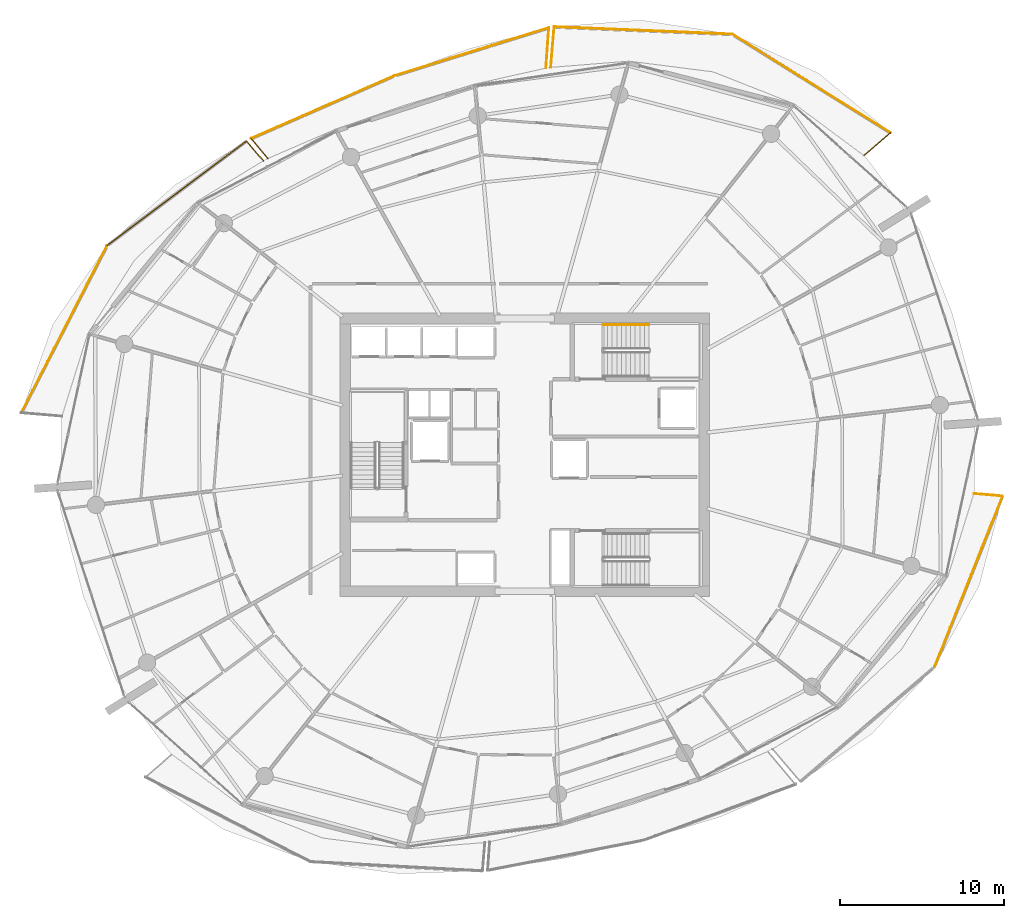
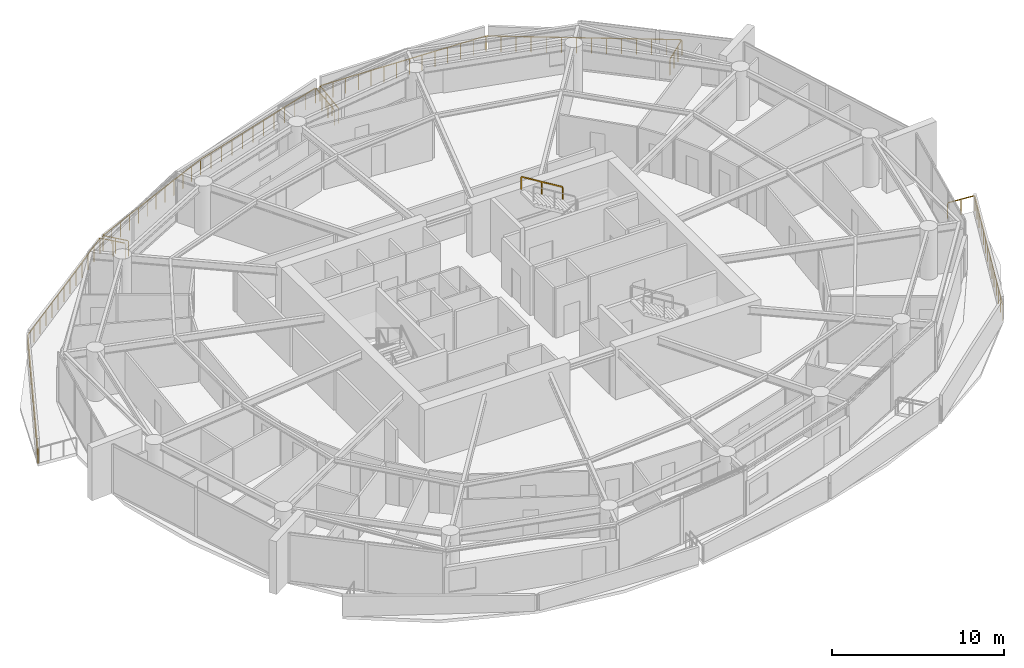
# One storey, part 21 of 21: 14 railings.
"""IFC4 building model written with IfcOpenShell, lengths in metres."""

from ifc_helpers import new_model, si_unit, direction, frame, origin, origin_2d, place, context, subcontext, project, spatial, rectangle, extrude, material, type_object, element, save


model = new_model("IFC4")

# Units and contexts
model_context = context("Model", 3, precision=1e-05, world=origin(), true_north=direction((0.0, 1.0)))
body_context = subcontext(model_context, "Body", "Model", "MODEL_VIEW")
ifc_project = project(units=[si_unit("LENGTHUNIT", "METRE"), si_unit("AREAUNIT", "SQUARE_METRE"), si_unit("VOLUMEUNIT", "CUBIC_METRE"), si_unit("PLANEANGLEUNIT", "RADIAN"), si_unit("MASSUNIT", "GRAM", prefix="KILO")], contexts=[model_context])

# Site, building, storey
site_placement = place(None, origin())
site = spatial("IfcSite", under=ifc_project, at=site_placement, CompositionType="ELEMENT")
building_placement = place(site_placement, origin())
building = spatial("IfcBuilding", under=site, at=building_placement, Name="Kazma Halo Residences", CompositionType="ELEMENT")
storey_placement = place(building_placement, frame((0.0, 0.0, 191.550048828125)))
storey = spatial("IfcBuildingStorey", under=building, at=storey_placement, Name="L48", CompositionType="ELEMENT", Elevation=191.550048828125)

# Railings
ifc_material_1 = material(Name="Aluminium AW-6063 T6 Brushed Cap Rail", Category="aluminium")
railing_type_1 = type_object("IfcRailingType", Name="RLG-BAL-CAP-1120", PredefinedType="BALUSTRADE", material=ifc_material_1)
railing_1_placement = place(storey_placement, frame((69.130126953125, 60.271240234375, 0.0)))
element("IfcRailing", 1, at=railing_1_placement, inside=storey, type_object=railing_type_1, Name="L48 NE wave balcony guard 1", PredefinedType="BALUSTRADE", context=body_context, shape_type="SweptSolid", body=[
    extrude(rectangle(XDim=0.050048828125, YDim=0.050048828125, at=origin_2d()), frame((0.0322265625, 0.02783203125, 1.09521484375), z_axis=(0.75640764882, 0.654100503597, 0.0), x_axis=(-0.654100503597, 0.75640764882, 0.0)), (0.0, 0.0, 1.0), 2.04345703125),
    extrude(rectangle(XDim=0.0400390625, YDim=0.0400390625, at=origin_2d()), origin(), (0.0, 0.0, 1.0), 1.05810546875),
    extrude(rectangle(XDim=0.0400390625, YDim=0.0400390625, at=origin_2d()), frame((0.53662109375, 0.464111328125, 0.0)), (0.0, 0.0, 1.0), 1.05810546875),
    extrude(rectangle(XDim=0.0400390625, YDim=0.0400390625, at=origin_2d()), frame((1.073486328125, 0.92822265625, 0.0)), (0.0, 0.0, 1.0), 1.05810546875),
    extrude(rectangle(XDim=0.0400390625, YDim=0.0400390625, at=origin_2d()), frame((1.610107421875, 1.392333984375, 0.0)), (0.0, 0.0, 1.0), 1.05810546875),
])
railing_2_placement = place(storey_placement, frame((70.740234375, 61.66357421875, 0.0)))
element("IfcRailing", 2, at=railing_2_placement, inside=storey, type_object=railing_type_1, Name="L48 NE wave balcony guard 2", PredefinedType="BALUSTRADE", context=body_context, shape_type="SweptSolid", body=[
    extrude(rectangle(XDim=0.050048828125, YDim=0.050048828125, at=origin_2d()), frame((-0.0361328125, 0.0224609375, 1.09521484375), z_axis=(-0.848753354087, 0.528788940812, 0.0), x_axis=(-0.528788940812, -0.848753354087, 0.0)), (0.0, 0.0, 1.0), 11.29150390625),
    extrude(rectangle(XDim=0.0400390625, YDim=0.0400390625, at=origin_2d()), origin(), (0.0, 0.0, 1.0), 1.05810546875),
    extrude(rectangle(XDim=0.0400390625, YDim=0.0400390625, at=origin_2d()), frame((-0.74267578125, 0.462646484375, 0.0)), (0.0, 0.0, 1.0), 1.05810546875),
    extrude(rectangle(XDim=0.0400390625, YDim=0.0400390625, at=origin_2d()), frame((-1.485595703125, 0.925537109375, 0.0)), (0.0, 0.0, 1.0), 1.05810546875),
    extrude(rectangle(XDim=0.0400390625, YDim=0.0400390625, at=origin_2d()), frame((-2.228271484375, 1.38818359375, 0.0)), (0.0, 0.0, 1.0), 1.05810546875),
    extrude(rectangle(XDim=0.0400390625, YDim=0.0400390625, at=origin_2d()), frame((-2.97119140625, 1.85107421875, 0.0)), (0.0, 0.0, 1.0), 1.05810546875),
    extrude(rectangle(XDim=0.0400390625, YDim=0.0400390625, at=origin_2d()), frame((-3.7138671875, 2.313720703125, 0.0)), (0.0, 0.0, 1.0), 1.05810546875),
    extrude(rectangle(XDim=0.0400390625, YDim=0.0400390625, at=origin_2d()), frame((-4.45654296875, 2.776611328125, 0.0)), (0.0, 0.0, 1.0), 1.05810546875),
    extrude(rectangle(XDim=0.0400390625, YDim=0.0400390625, at=origin_2d()), frame((-5.199462890625, 3.2392578125, 0.0)), (0.0, 0.0, 1.0), 1.05810546875),
    extrude(rectangle(XDim=0.0400390625, YDim=0.0400390625, at=origin_2d()), frame((-5.942138671875, 3.7021484375, 0.0)), (0.0, 0.0, 1.0), 1.05810546875),
    extrude(rectangle(XDim=0.0400390625, YDim=0.0400390625, at=origin_2d()), frame((-6.684814453125, 4.164794921875, 0.0)), (0.0, 0.0, 1.0), 1.05810546875),
    extrude(rectangle(XDim=0.0400390625, YDim=0.0400390625, at=origin_2d()), frame((-7.427734375, 4.627685546875, 0.0)), (0.0, 0.0, 1.0), 1.05810546875),
    extrude(rectangle(XDim=0.0400390625, YDim=0.0400390625, at=origin_2d()), frame((-8.17041015625, 5.09033203125, 0.0)), (0.0, 0.0, 1.0), 1.05810546875),
    extrude(rectangle(XDim=0.0400390625, YDim=0.0400390625, at=origin_2d()), frame((-8.913330078125, 5.55322265625, 0.0)), (0.0, 0.0, 1.0), 1.05810546875),
    extrude(rectangle(XDim=0.0400390625, YDim=0.0400390625, at=origin_2d()), frame((-9.656005859375, 6.015869140625, 0.0)), (0.0, 0.0, 1.0), 1.05810546875),
])
railing_3_placement = place(storey_placement, frame((61.084228515625, 67.679443359375, 0.0)))
element("IfcRailing", 3, at=railing_3_placement, inside=storey, type_object=railing_type_1, Name="L48 NE wave balcony guard 3", PredefinedType="BALUSTRADE", context=body_context, shape_type="SweptSolid", body=[
    extrude(rectangle(XDim=0.050048828125, YDim=0.050048828125, at=origin_2d()), frame((-0.04248046875, 0.001708984375, 1.09521484375), z_axis=(-0.999139247637, 0.041482090486, 0.0), x_axis=(-0.041482090486, -0.999139247637, 0.0)), (0.0, 0.0, 1.0), 10.791259765625),
    extrude(rectangle(XDim=0.0400390625, YDim=0.0400390625, at=origin_2d()), origin(), (0.0, 0.0, 1.0), 1.05810546875),
    extrude(rectangle(XDim=0.0400390625, YDim=0.0400390625, at=origin_2d()), frame((-0.8359375, 0.03466796875, 0.0)), (0.0, 0.0, 1.0), 1.05810546875),
    extrude(rectangle(XDim=0.0400390625, YDim=0.0400390625, at=origin_2d()), frame((-1.671875, 0.0693359375, 0.0)), (0.0, 0.0, 1.0), 1.05810546875),
    extrude(rectangle(XDim=0.0400390625, YDim=0.0400390625, at=origin_2d()), frame((-2.5078125, 0.10400390625, 0.0)), (0.0, 0.0, 1.0), 1.05810546875),
    extrude(rectangle(XDim=0.0400390625, YDim=0.0400390625, at=origin_2d()), frame((-3.34375, 0.138916015625, 0.0)), (0.0, 0.0, 1.0), 1.05810546875),
    extrude(rectangle(XDim=0.0400390625, YDim=0.0400390625, at=origin_2d()), frame((-4.1796875, 0.173583984375, 0.0)), (0.0, 0.0, 1.0), 1.05810546875),
    extrude(rectangle(XDim=0.0400390625, YDim=0.0400390625, at=origin_2d()), frame((-5.015625, 0.208251953125, 0.0)), (0.0, 0.0, 1.0), 1.05810546875),
    extrude(rectangle(XDim=0.0400390625, YDim=0.0400390625, at=origin_2d()), frame((-5.851318359375, 0.242919921875, 0.0)), (0.0, 0.0, 1.0), 1.05810546875),
    extrude(rectangle(XDim=0.0400390625, YDim=0.0400390625, at=origin_2d()), frame((-6.687255859375, 0.277587890625, 0.0)), (0.0, 0.0, 1.0), 1.05810546875),
    extrude(rectangle(XDim=0.0400390625, YDim=0.0400390625, at=origin_2d()), frame((-7.523193359375, 0.312255859375, 0.0)), (0.0, 0.0, 1.0), 1.05810546875),
    extrude(rectangle(XDim=0.0400390625, YDim=0.0400390625, at=origin_2d()), frame((-8.359130859375, 0.34716796875, 0.0)), (0.0, 0.0, 1.0), 1.05810546875),
    extrude(rectangle(XDim=0.0400390625, YDim=0.0400390625, at=origin_2d()), frame((-9.195068359375, 0.3818359375, 0.0)), (0.0, 0.0, 1.0), 1.05810546875),
    extrude(rectangle(XDim=0.0400390625, YDim=0.0400390625, at=origin_2d()), frame((-10.031005859375, 0.41650390625, 0.0)), (0.0, 0.0, 1.0), 1.05810546875),
    extrude(rectangle(XDim=0.0400390625, YDim=0.0400390625, at=origin_2d()), frame((-10.866943359375, 0.451171875, 0.0)), (0.0, 0.0, 1.0), 1.05810546875),
])
railing_4_placement = place(storey_placement, frame((50.21728515625, 68.130615234375, 0.0)))
element("IfcRailing", 4, at=railing_4_placement, inside=storey, type_object=railing_type_1, Name="L48 NE wave balcony guard 4", PredefinedType="BALUSTRADE", context=body_context, shape_type="SweptSolid", body=[
    extrude(rectangle(XDim=0.050048828125, YDim=0.050048828125, at=origin_2d()), frame((-0.003662109375, -0.04248046875, 1.09521484375), z_axis=(-0.084639935833, -0.996411602332, 0.0), x_axis=(0.996411602332, -0.084639935833, 0.0)), (0.0, 0.0, 1.0), 2.3984375),
    extrude(rectangle(XDim=0.0400390625, YDim=0.0400390625, at=origin_2d()), origin(), (0.0, 0.0, 1.0), 1.05810546875),
    extrude(rectangle(XDim=0.0400390625, YDim=0.0400390625, at=origin_2d()), frame((-0.070068359375, -0.824951171875, 0.0)), (0.0, 0.0, 1.0), 1.05810546875),
    extrude(rectangle(XDim=0.0400390625, YDim=0.0400390625, at=origin_2d()), frame((-0.14013671875, -1.649658203125, 0.0)), (0.0, 0.0, 1.0), 1.05810546875),
    extrude(rectangle(XDim=0.0400390625, YDim=0.0400390625, at=origin_2d()), frame((-0.210205078125, -2.474609375, 0.0)), (0.0, 0.0, 1.0), 1.05810546875),
])
railing_5_placement = place(storey_placement, frame((49.713134765625, 65.612060546875, 0.0)))
element("IfcRailing", 5, at=railing_5_placement, inside=storey, type_object=railing_type_1, Name="L48 NNW wave balcony guard 1", PredefinedType="BALUSTRADE", context=body_context, shape_type="SweptSolid", body=[
    extrude(rectangle(XDim=0.050048828125, YDim=0.050048828125, at=origin_2d()), frame((0.003173828125, 0.04248046875, 1.09521484375), z_axis=(0.072387043976, 0.997376616863, 0.0), x_axis=(-0.997376616863, 0.072387043976, 0.0)), (0.0, 0.0, 1.0), 2.38037109375),
    extrude(rectangle(XDim=0.0400390625, YDim=0.0400390625, at=origin_2d()), origin(), (0.0, 0.0, 1.0), 1.05810546875),
    extrude(rectangle(XDim=0.0400390625, YDim=0.0400390625, at=origin_2d()), frame((0.0595703125, 0.819580078125, 0.0)), (0.0, 0.0, 1.0), 1.05810546875),
    extrude(rectangle(XDim=0.0400390625, YDim=0.0400390625, at=origin_2d()), frame((0.118896484375, 1.639404296875, 0.0)), (0.0, 0.0, 1.0), 1.05810546875),
    extrude(rectangle(XDim=0.0400390625, YDim=0.0400390625, at=origin_2d()), frame((0.178466796875, 2.458984375, 0.0)), (0.0, 0.0, 1.0), 1.05810546875),
])
railing_6_placement = place(storey_placement, frame((49.8916015625, 68.071044921875, 0.0)))
element("IfcRailing", 6, at=railing_6_placement, inside=storey, type_object=railing_type_1, Name="L48 NNW wave balcony guard 2", PredefinedType="BALUSTRADE", context=body_context, shape_type="SweptSolid", body=[
    extrude(rectangle(XDim=0.050048828125, YDim=0.050048828125, at=origin_2d()), frame((-0.04052734375, -0.0126953125, 1.09521484375), z_axis=(-0.954910471932, -0.296893904609, 0.0), x_axis=(0.296893904609, -0.954910471932, 0.0)), (0.0, 0.0, 1.0), 9.771240234375),
    extrude(rectangle(XDim=0.0400390625, YDim=0.0400390625, at=origin_2d()), origin(), (0.0, 0.0, 1.0), 1.05810546875),
    extrude(rectangle(XDim=0.0400390625, YDim=0.0400390625, at=origin_2d()), frame((-0.855712890625, -0.26611328125, 0.0)), (0.0, 0.0, 1.0), 1.05810546875),
    extrude(rectangle(XDim=0.0400390625, YDim=0.0400390625, at=origin_2d()), frame((-1.711181640625, -0.531982421875, 0.0)), (0.0, 0.0, 1.0), 1.05810546875),
    extrude(rectangle(XDim=0.0400390625, YDim=0.0400390625, at=origin_2d()), frame((-2.56689453125, -0.798095703125, 0.0)), (0.0, 0.0, 1.0), 1.05810546875),
    extrude(rectangle(XDim=0.0400390625, YDim=0.0400390625, at=origin_2d()), frame((-3.422607421875, -1.064208984375, 0.0)), (0.0, 0.0, 1.0), 1.05810546875),
    extrude(rectangle(XDim=0.0400390625, YDim=0.0400390625, at=origin_2d()), frame((-4.278076171875, -1.330078125, 0.0)), (0.0, 0.0, 1.0), 1.05810546875),
    extrude(rectangle(XDim=0.0400390625, YDim=0.0400390625, at=origin_2d()), frame((-5.1337890625, -1.59619140625, 0.0)), (0.0, 0.0, 1.0), 1.05810546875),
    extrude(rectangle(XDim=0.0400390625, YDim=0.0400390625, at=origin_2d()), frame((-5.9892578125, -1.862060546875, 0.0)), (0.0, 0.0, 1.0), 1.05810546875),
    extrude(rectangle(XDim=0.0400390625, YDim=0.0400390625, at=origin_2d()), frame((-6.844970703125, -2.128173828125, 0.0)), (0.0, 0.0, 1.0), 1.05810546875),
    extrude(rectangle(XDim=0.0400390625, YDim=0.0400390625, at=origin_2d()), frame((-7.70068359375, -2.394287109375, 0.0)), (0.0, 0.0, 1.0), 1.05810546875),
    extrude(rectangle(XDim=0.0400390625, YDim=0.0400390625, at=origin_2d()), frame((-8.55615234375, -2.66015625, 0.0)), (0.0, 0.0, 1.0), 1.05810546875),
    extrude(rectangle(XDim=0.0400390625, YDim=0.0400390625, at=origin_2d()), frame((-9.411865234375, -2.92626953125, 0.0)), (0.0, 0.0, 1.0), 1.05810546875),
])
railing_7_placement = place(storey_placement, frame((40.479736328125, 65.144775390625, 0.0)))
element("IfcRailing", 7, at=railing_7_placement, inside=storey, type_object=railing_type_1, Name="L48 NNW wave balcony guard 3", PredefinedType="BALUSTRADE", context=body_context, shape_type="SweptSolid", body=[
    extrude(rectangle(XDim=0.050048828125, YDim=0.050048828125, at=origin_2d()), frame((-0.0390625, -0.01708984375, 1.09521484375), z_axis=(-0.916057182415, -0.401047676151, 0.0), x_axis=(0.401047676151, -0.916057182415, 0.0)), (0.0, 0.0, 1.0), 9.484619140625),
    extrude(rectangle(XDim=0.0400390625, YDim=0.0400390625, at=origin_2d()), origin(), (0.0, 0.0, 1.0), 1.05810546875),
    extrude(rectangle(XDim=0.0400390625, YDim=0.0400390625, at=origin_2d()), frame((-0.796875, -0.348876953125, 0.0)), (0.0, 0.0, 1.0), 1.05810546875),
    extrude(rectangle(XDim=0.0400390625, YDim=0.0400390625, at=origin_2d()), frame((-1.593994140625, -0.69775390625, 0.0)), (0.0, 0.0, 1.0), 1.05810546875),
    extrude(rectangle(XDim=0.0400390625, YDim=0.0400390625, at=origin_2d()), frame((-2.390869140625, -1.046630859375, 0.0)), (0.0, 0.0, 1.0), 1.05810546875),
    extrude(rectangle(XDim=0.0400390625, YDim=0.0400390625, at=origin_2d()), frame((-3.187744140625, -1.3955078125, 0.0)), (0.0, 0.0, 1.0), 1.05810546875),
    extrude(rectangle(XDim=0.0400390625, YDim=0.0400390625, at=origin_2d()), frame((-3.984619140625, -1.744384765625, 0.0)), (0.0, 0.0, 1.0), 1.05810546875),
    extrude(rectangle(XDim=0.0400390625, YDim=0.0400390625, at=origin_2d()), frame((-4.78173828125, -2.093505859375, 0.0)), (0.0, 0.0, 1.0), 1.05810546875),
    extrude(rectangle(XDim=0.0400390625, YDim=0.0400390625, at=origin_2d()), frame((-5.57861328125, -2.4423828125, 0.0)), (0.0, 0.0, 1.0), 1.05810546875),
    extrude(rectangle(XDim=0.0400390625, YDim=0.0400390625, at=origin_2d()), frame((-6.37548828125, -2.791259765625, 0.0)), (0.0, 0.0, 1.0), 1.05810546875),
    extrude(rectangle(XDim=0.0400390625, YDim=0.0400390625, at=origin_2d()), frame((-7.17236328125, -3.14013671875, 0.0)), (0.0, 0.0, 1.0), 1.05810546875),
    extrude(rectangle(XDim=0.0400390625, YDim=0.0400390625, at=origin_2d()), frame((-7.969482421875, -3.489013671875, 0.0)), (0.0, 0.0, 1.0), 1.05810546875),
    extrude(rectangle(XDim=0.0400390625, YDim=0.0400390625, at=origin_2d()), frame((-8.766357421875, -3.837890625, 0.0)), (0.0, 0.0, 1.0), 1.05810546875),
])
railing_8_placement = place(storey_placement, frame((31.71337890625, 61.306884765625, 0.0)))
element("IfcRailing", 8, at=railing_8_placement, inside=storey, type_object=railing_type_1, Name="L48 NNW wave balcony guard 4", PredefinedType="BALUSTRADE", context=body_context, shape_type="SweptSolid", body=[
    extrude(rectangle(XDim=0.050048828125, YDim=0.050048828125, at=origin_2d()), frame((0.02734375, -0.032470703125, 1.09521484375), z_axis=(0.644719068761, -0.764419598373, 0.0), x_axis=(0.764419598373, 0.644719068761, 0.0)), (0.0, 0.0, 1.0), 1.499755859375),
    extrude(rectangle(XDim=0.0400390625, YDim=0.0400390625, at=origin_2d()), origin(), (0.0, 0.0, 1.0), 1.05810546875),
    extrude(rectangle(XDim=0.0400390625, YDim=0.0400390625, at=origin_2d()), frame((0.5107421875, -0.605712890625, 0.0)), (0.0, 0.0, 1.0), 1.05810546875),
    extrude(rectangle(XDim=0.0400390625, YDim=0.0400390625, at=origin_2d()), frame((1.021728515625, -1.21142578125, 0.0)), (0.0, 0.0, 1.0), 1.05810546875),
])
railing_9_placement = place(storey_placement, frame((32.471435546875, 59.958251953125, 0.0)))
element("IfcRailing", 9, at=railing_9_placement, inside=storey, type_object=railing_type_1, Name="L48 NW wave balcony guard 1", PredefinedType="BALUSTRADE", context=body_context, shape_type="SweptSolid", body=[
    extrude(rectangle(XDim=0.050048828125, YDim=0.050048828125, at=origin_2d()), frame((-0.02783203125, 0.0322265625, 1.09521484375), z_axis=(-0.654099677317, 0.756408363342, 0.0), x_axis=(-0.756408363342, -0.654099677317, 0.0)), (0.0, 0.0, 1.0), 1.504150390625),
    extrude(rectangle(XDim=0.0400390625, YDim=0.0400390625, at=origin_2d()), origin(), (0.0, 0.0, 1.0), 1.05810546875),
    extrude(rectangle(XDim=0.0400390625, YDim=0.0400390625, at=origin_2d()), frame((-0.519775390625, 0.60107421875, 0.0)), (0.0, 0.0, 1.0), 1.05810546875),
    extrude(rectangle(XDim=0.0400390625, YDim=0.0400390625, at=origin_2d()), frame((-1.03955078125, 1.2021484375, 0.0)), (0.0, 0.0, 1.0), 1.05810546875),
])
railing_10_placement = place(storey_placement, frame((31.431884765625, 61.160400390625, 0.0)))
element("IfcRailing", 10, at=railing_10_placement, inside=storey, type_object=railing_type_1, Name="L48 NW wave balcony guard 2", PredefinedType="BALUSTRADE", context=body_context, shape_type="SweptSolid", body=[
    extrude(rectangle(XDim=0.050048828125, YDim=0.050048828125, at=origin_2d()), frame((-0.033935546875, -0.025634765625, 1.09521484375), z_axis=(-0.799768549379, -0.600308476889, 0.0), x_axis=(0.600308476889, -0.799768549379, 0.0)), (0.0, 0.0, 1.0), 10.55029296875),
    extrude(rectangle(XDim=0.0400390625, YDim=0.0400390625, at=origin_2d()), origin(), (0.0, 0.0, 1.0), 1.05810546875),
    extrude(rectangle(XDim=0.0400390625, YDim=0.0400390625, at=origin_2d()), frame((-0.708740234375, -0.531982421875, 0.0)), (0.0, 0.0, 1.0), 1.05810546875),
    extrude(rectangle(XDim=0.0400390625, YDim=0.0400390625, at=origin_2d()), frame((-1.417724609375, -1.06396484375, 0.0)), (0.0, 0.0, 1.0), 1.05810546875),
    extrude(rectangle(XDim=0.0400390625, YDim=0.0400390625, at=origin_2d()), frame((-2.12646484375, -1.59619140625, 0.0)), (0.0, 0.0, 1.0), 1.05810546875),
    extrude(rectangle(XDim=0.0400390625, YDim=0.0400390625, at=origin_2d()), frame((-2.835205078125, -2.128173828125, 0.0)), (0.0, 0.0, 1.0), 1.05810546875),
    extrude(rectangle(XDim=0.0400390625, YDim=0.0400390625, at=origin_2d()), frame((-3.544189453125, -2.66015625, 0.0)), (0.0, 0.0, 1.0), 1.05810546875),
    extrude(rectangle(XDim=0.0400390625, YDim=0.0400390625, at=origin_2d()), frame((-4.2529296875, -3.1923828125, 0.0)), (0.0, 0.0, 1.0), 1.05810546875),
    extrude(rectangle(XDim=0.0400390625, YDim=0.0400390625, at=origin_2d()), frame((-4.961669921875, -3.724365234375, 0.0)), (0.0, 0.0, 1.0), 1.05810546875),
    extrude(rectangle(XDim=0.0400390625, YDim=0.0400390625, at=origin_2d()), frame((-5.670654296875, -4.25634765625, 0.0)), (0.0, 0.0, 1.0), 1.05810546875),
    extrude(rectangle(XDim=0.0400390625, YDim=0.0400390625, at=origin_2d()), frame((-6.37939453125, -4.788330078125, 0.0)), (0.0, 0.0, 1.0), 1.05810546875),
    extrude(rectangle(XDim=0.0400390625, YDim=0.0400390625, at=origin_2d()), frame((-7.088134765625, -5.3203125, 0.0)), (0.0, 0.0, 1.0), 1.05810546875),
    extrude(rectangle(XDim=0.0400390625, YDim=0.0400390625, at=origin_2d()), frame((-7.797119140625, -5.8525390625, 0.0)), (0.0, 0.0, 1.0), 1.05810546875),
    extrude(rectangle(XDim=0.0400390625, YDim=0.0400390625, at=origin_2d()), frame((-8.505859375, -6.384521484375, 0.0)), (0.0, 0.0, 1.0), 1.05810546875),
])
railing_11_placement = place(storey_placement, frame((22.926025390625, 54.77587890625, 0.0)))
element("IfcRailing", 11, at=railing_11_placement, inside=storey, type_object=railing_type_1, Name="L48 NW wave balcony guard 3", PredefinedType="BALUSTRADE", context=body_context, shape_type="SweptSolid", body=[
    extrude(rectangle(XDim=0.050048828125, YDim=0.050048828125, at=origin_2d()), frame((-0.019287109375, -0.037841796875, 1.09521484375), z_axis=(-0.456200806957, -0.889876858746, 0.0), x_axis=(0.889876858746, -0.456200806957, 0.0)), (0.0, 0.0, 1.0), 11.38232421875),
    extrude(rectangle(XDim=0.0400390625, YDim=0.0400390625, at=origin_2d()), origin(), (0.0, 0.0, 1.0), 1.05810546875),
    extrude(rectangle(XDim=0.0400390625, YDim=0.0400390625, at=origin_2d()), frame((-0.40234375, -0.784912109375, 0.0)), (0.0, 0.0, 1.0), 1.05810546875),
    extrude(rectangle(XDim=0.0400390625, YDim=0.0400390625, at=origin_2d()), frame((-0.804931640625, -1.56982421875, 0.0)), (0.0, 0.0, 1.0), 1.05810546875),
    extrude(rectangle(XDim=0.0400390625, YDim=0.0400390625, at=origin_2d()), frame((-1.207275390625, -2.35498046875, 0.0)), (0.0, 0.0, 1.0), 1.05810546875),
    extrude(rectangle(XDim=0.0400390625, YDim=0.0400390625, at=origin_2d()), frame((-1.609619140625, -3.139892578125, 0.0)), (0.0, 0.0, 1.0), 1.05810546875),
    extrude(rectangle(XDim=0.0400390625, YDim=0.0400390625, at=origin_2d()), frame((-2.01220703125, -3.9248046875, 0.0)), (0.0, 0.0, 1.0), 1.05810546875),
    extrude(rectangle(XDim=0.0400390625, YDim=0.0400390625, at=origin_2d()), frame((-2.41455078125, -4.709716796875, 0.0)), (0.0, 0.0, 1.0), 1.05810546875),
    extrude(rectangle(XDim=0.0400390625, YDim=0.0400390625, at=origin_2d()), frame((-2.81689453125, -5.494873046875, 0.0)), (0.0, 0.0, 1.0), 1.05810546875),
    extrude(rectangle(XDim=0.0400390625, YDim=0.0400390625, at=origin_2d()), frame((-3.21923828125, -6.27978515625, 0.0)), (0.0, 0.0, 1.0), 1.05810546875),
    extrude(rectangle(XDim=0.0400390625, YDim=0.0400390625, at=origin_2d()), frame((-3.621826171875, -7.064697265625, 0.0)), (0.0, 0.0, 1.0), 1.05810546875),
    extrude(rectangle(XDim=0.0400390625, YDim=0.0400390625, at=origin_2d()), frame((-4.024169921875, -7.849609375, 0.0)), (0.0, 0.0, 1.0), 1.05810546875),
    extrude(rectangle(XDim=0.0400390625, YDim=0.0400390625, at=origin_2d()), frame((-4.426513671875, -8.634765625, 0.0)), (0.0, 0.0, 1.0), 1.05810546875),
    extrude(rectangle(XDim=0.0400390625, YDim=0.0400390625, at=origin_2d()), frame((-4.8291015625, -9.419677734375, 0.0)), (0.0, 0.0, 1.0), 1.05810546875),
    extrude(rectangle(XDim=0.0400390625, YDim=0.0400390625, at=origin_2d()), frame((-5.2314453125, -10.20458984375, 0.0)), (0.0, 0.0, 1.0), 1.05810546875),
])
railing_12_placement = place(storey_placement, frame((73.4287109375, 29.04345703125, 0.0)))
element("IfcRailing", 12, at=railing_12_placement, inside=storey, type_object=railing_type_1, Name="L48 SE wave balcony guard 3", PredefinedType="BALUSTRADE", context=body_context, shape_type="SweptSolid", body=[
    extrude(rectangle(XDim=0.050048828125, YDim=0.050048828125, at=origin_2d()), frame((0.015625, 0.03955078125, 1.09521484375), z_axis=(0.369783962807, 0.929117764791, 0.0), x_axis=(-0.929117764791, 0.369783962807, 0.0)), (0.0, 0.0, 1.0), 11.157958984375),
    extrude(rectangle(XDim=0.0400390625, YDim=0.0400390625, at=origin_2d()), origin(), (0.0, 0.0, 1.0), 1.05810546875),
    extrude(rectangle(XDim=0.0400390625, YDim=0.0400390625, at=origin_2d()), frame((0.31982421875, 0.803466796875, 0.0)), (0.0, 0.0, 1.0), 1.05810546875),
    extrude(rectangle(XDim=0.0400390625, YDim=0.0400390625, at=origin_2d()), frame((0.6396484375, 1.607177734375, 0.0)), (0.0, 0.0, 1.0), 1.05810546875),
    extrude(rectangle(XDim=0.0400390625, YDim=0.0400390625, at=origin_2d()), frame((0.95947265625, 2.41064453125, 0.0)), (0.0, 0.0, 1.0), 1.05810546875),
    extrude(rectangle(XDim=0.0400390625, YDim=0.0400390625, at=origin_2d()), frame((1.279296875, 3.214111328125, 0.0)), (0.0, 0.0, 1.0), 1.05810546875),
    extrude(rectangle(XDim=0.0400390625, YDim=0.0400390625, at=origin_2d()), frame((1.59912109375, 4.017822265625, 0.0)), (0.0, 0.0, 1.0), 1.05810546875),
    extrude(rectangle(XDim=0.0400390625, YDim=0.0400390625, at=origin_2d()), frame((1.9189453125, 4.8212890625, 0.0)), (0.0, 0.0, 1.0), 1.05810546875),
    extrude(rectangle(XDim=0.0400390625, YDim=0.0400390625, at=origin_2d()), frame((2.238525390625, 5.624755859375, 0.0)), (0.0, 0.0, 1.0), 1.05810546875),
    extrude(rectangle(XDim=0.0400390625, YDim=0.0400390625, at=origin_2d()), frame((2.558349609375, 6.42822265625, 0.0)), (0.0, 0.0, 1.0), 1.05810546875),
    extrude(rectangle(XDim=0.0400390625, YDim=0.0400390625, at=origin_2d()), frame((2.878173828125, 7.23193359375, 0.0)), (0.0, 0.0, 1.0), 1.05810546875),
    extrude(rectangle(XDim=0.0400390625, YDim=0.0400390625, at=origin_2d()), frame((3.197998046875, 8.035400390625, 0.0)), (0.0, 0.0, 1.0), 1.05810546875),
    extrude(rectangle(XDim=0.0400390625, YDim=0.0400390625, at=origin_2d()), frame((3.517822265625, 8.8388671875, 0.0)), (0.0, 0.0, 1.0), 1.05810546875),
    extrude(rectangle(XDim=0.0400390625, YDim=0.0400390625, at=origin_2d()), frame((3.837646484375, 9.642578125, 0.0)), (0.0, 0.0, 1.0), 1.05810546875),
    extrude(rectangle(XDim=0.0400390625, YDim=0.0400390625, at=origin_2d()), frame((4.157470703125, 10.446044921875, 0.0)), (0.0, 0.0, 1.0), 1.05810546875),
])
railing_13_placement = place(storey_placement, frame((77.586181640625, 39.489501953125, 0.0)))
element("IfcRailing", 13, at=railing_13_placement, inside=storey, type_object=railing_type_1, Name="L48 SE wave balcony guard 4", PredefinedType="BALUSTRADE", context=body_context, shape_type="SweptSolid", body=[
    extrude(rectangle(XDim=0.050048828125, YDim=0.050048828125, at=origin_2d()), frame((-0.04248046875, 0.003662109375, 1.09521484375), z_axis=(-0.996418198559, 0.084562246784, 0.0), x_axis=(-0.084562246784, -0.996418198559, 0.0)), (0.0, 0.0, 1.0), 1.673095703125),
    extrude(rectangle(XDim=0.0400390625, YDim=0.0400390625, at=origin_2d()), origin(), (0.0, 0.0, 1.0), 1.05810546875),
    extrude(rectangle(XDim=0.0400390625, YDim=0.0400390625, at=origin_2d()), frame((-0.8759765625, 0.07421875, 0.0)), (0.0, 0.0, 1.0), 1.05810546875),
    extrude(rectangle(XDim=0.0400390625, YDim=0.0400390625, at=origin_2d()), frame((-1.751953125, 0.148681640625, 0.0)), (0.0, 0.0, 1.0), 1.05810546875),
])
ifc_material_2 = material(Name="Brushed Stainless Steel", Category="steel")
railing_type_2 = type_object("IfcRailingType", Name="RLG-STAIR-HND-900", PredefinedType="HANDRAIL", material=ifc_material_2)
railing_14_placement = place(storey_placement, frame((56.0, 49.949951171875, 2.04541015625)))
element("IfcRailing", 14, at=railing_14_placement, inside=storey, type_object=railing_type_2, Name="L48 ST-02 stair handrail 2", PredefinedType="HANDRAIL", context=body_context, shape_type="SweptSolid", body=[
    extrude(rectangle(XDim=0.050048828125, YDim=0.050048828125, at=origin_2d()), frame((-0.036376953125, 0.0, 0.89697265625), z_axis=(-0.854169791009, 0.0, 0.51999420009), x_axis=(0.0, -1.0, 0.0)), (0.0, 0.0, 1.0), 3.193115234375),
    extrude(rectangle(XDim=0.0400390625, YDim=0.0400390625, at=origin_2d()), origin(), (0.0, 0.0, 1.0), 0.837890625),
    extrude(rectangle(XDim=0.0400390625, YDim=0.0400390625, at=origin_2d()), frame((-1.39990234375, 0.0, 0.852294921875)), (0.0, 0.0, 1.0), 0.837890625),
    extrude(rectangle(XDim=0.0400390625, YDim=0.0400390625, at=origin_2d()), frame((-2.800048828125, 0.0, 1.70458984375)), (0.0, 0.0, 1.0), 0.837890625),
])

save(model, "model.ifc")
